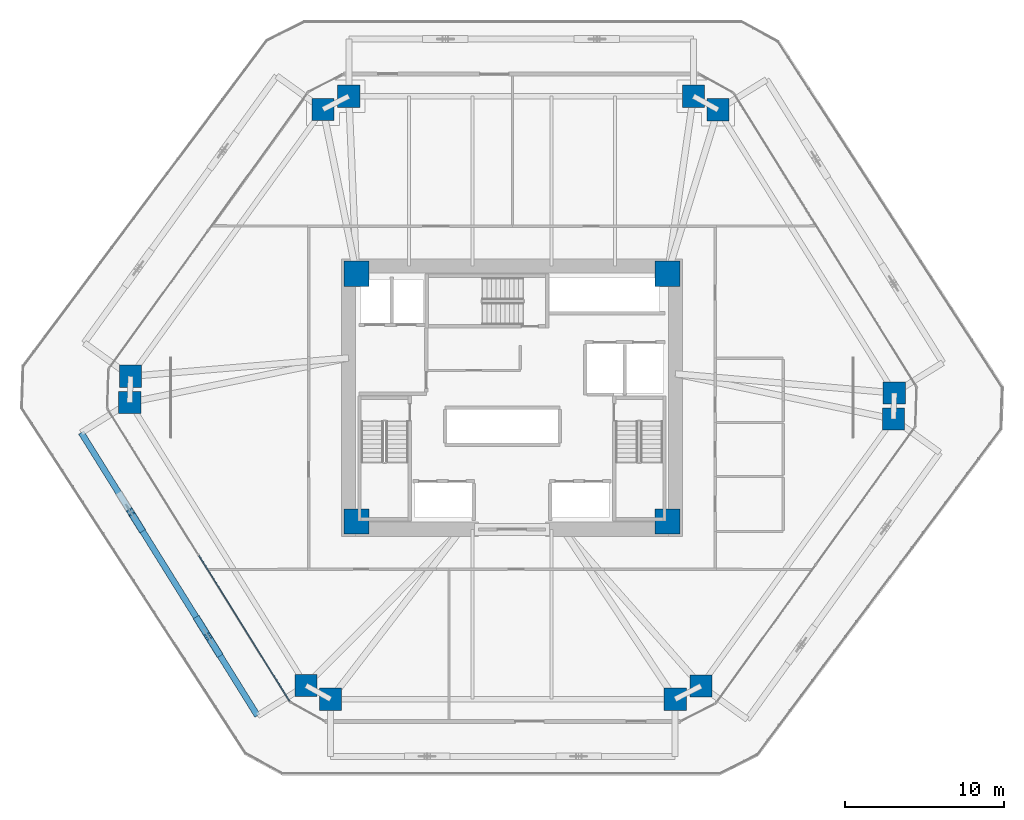
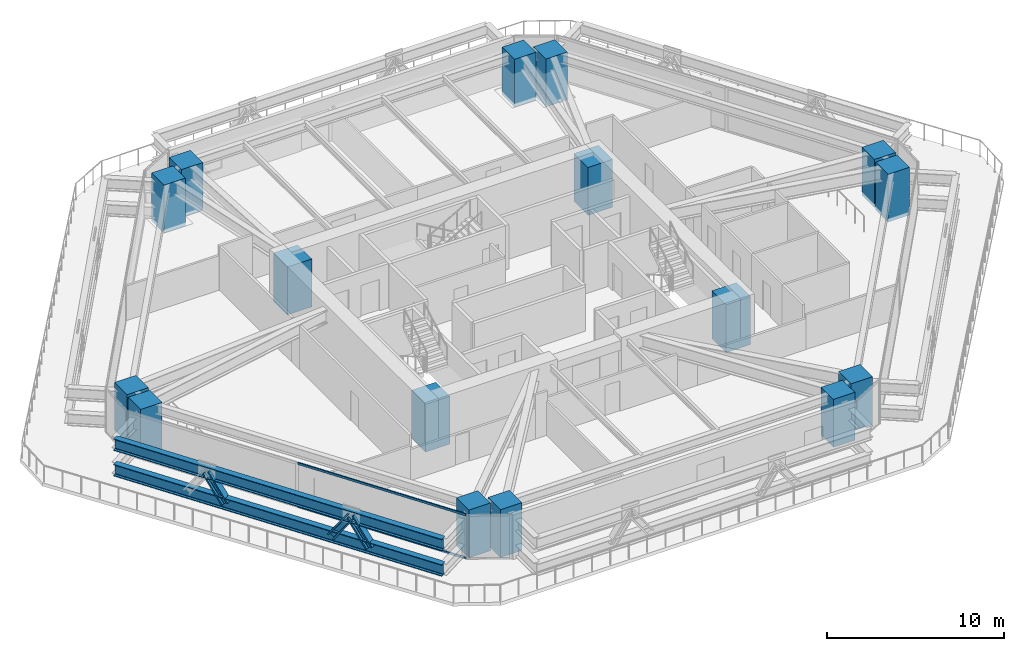
# One storey, part 1 of 20: 16 columns, 5 members, 2 beams, 1 element without a shape of its own.
"""IFC4 building model written with IfcOpenShell, lengths in metres."""

from ifc_helpers import new_model, si_unit, direction, frame, origin, origin_2d, place, context, subcontext, project, spatial, rectangle, i_section, extrude, source, transform, mapped, material, layer, layer_set, material_profile, profile_set, type_object, type_shapes, element, aggregate, save


model = new_model("IFC4")

# Units and contexts
model_context = context("Model", 3, precision=1e-05, world=origin(), true_north=direction((0.0, 1.0)))
body_context = subcontext(model_context, "Body", "Model", "MODEL_VIEW")
ifc_project = project(units=[si_unit("LENGTHUNIT", "METRE"), si_unit("AREAUNIT", "SQUARE_METRE"), si_unit("VOLUMEUNIT", "CUBIC_METRE"), si_unit("PLANEANGLEUNIT", "RADIAN"), si_unit("MASSUNIT", "GRAM", prefix="KILO")], contexts=[model_context])

# Site, building, storey
site_placement = place(None, origin())
site = spatial("IfcSite", under=ifc_project, at=site_placement, CompositionType="ELEMENT")
building_placement = place(site_placement, origin())
building = spatial("IfcBuilding", under=site, at=building_placement, Name="Durnholm Broadcast Tower", CompositionType="ELEMENT")
storey_placement = place(building_placement, frame((0.0, 0.0, 32.39990234375)))
storey = spatial("IfcBuildingStorey", under=building, at=storey_placement, Name="L06", CompositionType="ELEMENT", Elevation=32.39990234375)

# Columns
ifc_material_1 = material(Name="Concrete C70/85", Category="concrete")
ifc_material_profile_1 = material_profile(ifc_material_1, rectangle(XDim=1.60009765625, YDim=1.60009765625, at=origin_2d()), Name="RC1600X1600")
ifc_profile_set_1 = profile_set([ifc_material_profile_1], Name="Concrete C70/85")
column_type_1 = type_object("IfcColumnType", Name="COL-CC-1600", PredefinedType="COLUMN", material=ifc_profile_set_1)
shared_shape_1 = source(origin(), body_context, "Body", "SweptSolid", [
    extrude(rectangle(XDim=1.60009765625, YDim=1.60009765625, at=origin_2d()), origin(), (0.0, 0.0, 1.0), 3.300048828125),
])
type_shapes(column_type_1, [shared_shape_1])
for number, where, z_axis, x_axis, name in (
    (1, (-9.800048828125, -7.800048828125, -0.239990234375), (0.0, 0.0, 1.0), (1.0, 0.0, 0.0), "L06 core corner column 1"),
    (2, (9.800048828125, -7.800048828125, -0.239990234375), (0.0, 0.0, 1.0), (1.0, 0.0, 0.0), "L06 core corner column 2"),
    (3, (9.800048828125, 7.800048828125, -0.239990234375), (0.0, 0.0, 1.0), (1.0, 0.0, 0.0), "L06 core corner column 3"),
    (4, (-9.800048828125, 7.800048828125, -0.239990234375), (0.0, 0.0, 1.0), (1.0, 0.0, 0.0), "L06 core corner column 4"),
):
    element("IfcColumn", number, at=place(storey_placement, frame(where, z_axis=z_axis, x_axis=x_axis)), inside=storey, type_object=column_type_1, Name=name, PredefinedType="COLUMN", context=body_context, shape_type="MappedRepresentation", body=[
        mapped(shared_shape_1, transform((0.0, 0.0, 0.0), x_axis=(1.0, 0.0, 0.0), y_axis=(0.0, 1.0, 0.0), z_axis=(0.0, 0.0, 1.0), scale=1.0)),
    ])
ifc_material_profile_2 = material_profile(ifc_material_1, rectangle(XDim=1.39990234375, YDim=1.39990234375, at=origin_2d()), Name="RC1400X1400")
ifc_profile_set_2 = profile_set([ifc_material_profile_2], Name="Concrete C70/85")
column_type_2 = type_object("IfcColumnType", Name="COL-CC-1400", PredefinedType="COLUMN", material=ifc_profile_set_2)
shared_shape_2 = source(origin(), body_context, "Body", "SweptSolid", [
    extrude(rectangle(XDim=1.39990234375, YDim=1.39990234375, at=origin_2d()), origin(), (0.0, 0.0, 1.0), 3.300048828125),
])
type_shapes(column_type_2, [shared_shape_2])
for number, where, z_axis, x_axis, name in (
    (5, (-12.982666015625, -18.138427734375, -0.239990234375), (0.0, 0.0, 1.0), (1.0, 0.0, 0.0), "L06 perimeter hexagonal tube column 01"),
    (6, (-24.0908203125, -0.2998046875, -0.239990234375), (0.0, 0.0, 1.0), (1.0, 0.0, 0.0), "L06 perimeter hexagonal tube column 02"),
    (7, (-24.034912109375, 1.347412109375, -0.239990234375), (0.0, 0.0, 1.0), (1.0, 0.0, 0.0), "L06 perimeter hexagonal tube column 03"),
    (8, (-11.907470703125, 18.16845703125, -0.239990234375), (0.0, 0.0, 1.0), (1.0, 0.0, 0.0), "L06 perimeter hexagonal tube column 04"),
    (9, (-10.28271484375, 19.0, -0.239990234375), (0.0, 0.0, 1.0), (1.0, 0.0, 0.0), "L06 perimeter hexagonal tube column 05"),
    (10, (11.43115234375, 19.0, -0.239990234375), (0.0, 0.0, 1.0), (1.0, 0.0, 0.0), "L06 perimeter hexagonal tube column 06"),
    (11, (12.982666015625, 18.138427734375, -0.239990234375), (0.0, 0.0, 1.0), (1.0, 0.0, 0.0), "L06 perimeter hexagonal tube column 07"),
    (12, (24.0908203125, 0.2998046875, -0.239990234375), (0.0, 0.0, 1.0), (1.0, 0.0, 0.0), "L06 perimeter hexagonal tube column 08"),
    (13, (24.034912109375, -1.347412109375, -0.239990234375), (0.0, 0.0, 1.0), (1.0, 0.0, 0.0), "L06 perimeter hexagonal tube column 09"),
    (14, (11.907470703125, -18.16845703125, -0.239990234375), (0.0, 0.0, 1.0), (1.0, 0.0, 0.0), "L06 perimeter hexagonal tube column 10"),
    (15, (10.28271484375, -19.0, -0.239990234375), (0.0, 0.0, 1.0), (1.0, 0.0, 0.0), "L06 perimeter hexagonal tube column 11"),
    (16, (-11.43115234375, -19.0, -0.239990234375), (0.0, 0.0, 1.0), (1.0, 0.0, 0.0), "L06 perimeter hexagonal tube column 12"),
):
    element("IfcColumn", number, at=place(storey_placement, frame(where, z_axis=z_axis, x_axis=x_axis)), inside=storey, type_object=column_type_2, Name=name, PredefinedType="COLUMN", context=body_context, shape_type="MappedRepresentation", body=[
        mapped(shared_shape_2, transform((0.0, 0.0, 0.0), x_axis=(1.0, 0.0, 0.0), y_axis=(0.0, 1.0, 0.0), z_axis=(0.0, 0.0, 1.0), scale=1.0)),
    ])

# Members
ifc_material_2 = material(Name="Steel ASTM A913 Grade 65", Category="steel")
ifc_material_profile_3 = material_profile(ifc_material_2, i_section(OverallWidth=0.43212890625, OverallDepth=0.497802734375, WebThickness=0.0556640625, FlangeThickness=0.0888671875, FilletRadius=0.030517578125, at=origin_2d()), Name="W14X500")
ifc_profile_set_3 = profile_set([ifc_material_profile_3], Name="Steel ASTM A913 Grade 65")
member_type_1 = type_object("IfcMemberType", Name="STL-DG-W14X500", PredefinedType="BRACE", material=ifc_profile_set_3)
shared_shape_3 = source(origin(), body_context, "Body", "SweptSolid", [
    extrude(i_section(OverallWidth=0.43212890625, OverallDepth=0.497802734375, WebThickness=0.0556640625, FlangeThickness=0.0888671875, FilletRadius=0.030517578125, at=origin_2d()), origin(), (0.0, 0.0, 1.0), 2.148193359375),
])
type_shapes(member_type_1, [shared_shape_3])
for number, where, z_axis, x_axis, name in (
    (17, (-23.38427734375, -8.244873046875, 0.550048828125), (-0.303558890723, 0.487558083565, 0.818620250796), (-0.848908635391, -0.528539618911, 0.0), "L06 stand-off diagrid brace F6.D1.2"),
    (18, (-19.801025390625, -13.9990234375, 0.550048828125), (0.303558890723, -0.487558083565, 0.818620250796), (0.848908635391, 0.528539618911, 0.0), "L06 stand-off diagrid brace F6.D2.1"),
    (19, (-18.496826171875, -16.09375, 0.550048828125), (-0.303558890723, 0.487558083565, 0.818620250796), (-0.848908635391, -0.528539618911, 0.0), "L06 stand-off diagrid brace F6.D2.2"),
):
    element("IfcMember", number, at=place(storey_placement, frame(where, z_axis=z_axis, x_axis=x_axis)), inside=storey, type_object=member_type_1, Name=name, PredefinedType="BRACE", context=body_context, shape_type="MappedRepresentation", body=[
        mapped(shared_shape_3, transform((0.0, 0.0, 0.0), x_axis=(1.0, 0.0, 0.0), y_axis=(0.0, 1.0, 0.0), z_axis=(0.0, 0.0, 1.0), scale=1.0)),
    ])

# Beams
ifc_material_3 = material(Name="Steel ASTM A992 Grade 50", Category="steel")
ifc_material_profile_4 = material_profile(ifc_material_3, i_section(OverallWidth=0.385009765625, OverallDepth=0.802978515625, WebThickness=0.023681640625, FlangeThickness=0.0419921875, FilletRadius=0.032958984375, at=origin_2d()), Name="W30X261")
ifc_profile_set_4 = profile_set([ifc_material_profile_4], Name="Steel ASTM A992 Grade 50")
beam_type = type_object("IfcBeamType", Name="BM-EXO-TIE", PredefinedType="USERDEFINED", material=ifc_profile_set_4)
shared_shape_4 = source(origin(), body_context, "Body", "SweptSolid", [
    extrude(i_section(OverallWidth=0.385009765625, OverallDepth=0.802978515625, WebThickness=0.023681640625, FlangeThickness=0.0419921875, FilletRadius=0.032958984375, at=origin_2d()), origin(), (0.0, 0.0, 1.0), 21.0146484375),
])
type_shapes(beam_type, [shared_shape_4])
for number, where, z_axis, x_axis, name in (
    (20, (-27.146728515625, -2.20263671875, 0.550048828125), (0.528590518575, -0.848876942597, 0.0), (0.848876942597, 0.528590518575, 0.0), "L06 zone-base exoskeleton collector spandrel F6"),
    (21, (-27.146728515625, -2.20263671875, 2.30859375), (0.528590518575, -0.848876942597, 0.0), (0.848876942597, 0.528590518575, 0.0), "L06 exoskeleton collector spandrel F6"),
):
    element("IfcBeam", number, at=place(storey_placement, frame(where, z_axis=z_axis, x_axis=x_axis)), inside=storey, type_object=beam_type, Name=name, PredefinedType="SPANDREL", context=body_context, shape_type="MappedRepresentation", body=[
        mapped(shared_shape_4, transform((0.0, 0.0, 0.0), x_axis=(1.0, 0.0, 0.0), y_axis=(0.0, 1.0, 0.0), z_axis=(0.0, 0.0, 1.0), scale=1.0)),
    ])

# Curtain wall, members
ifc_material_4 = material(Name="Aluminium and Solar Control IGU", Category="aluminium")
ifc_layer = layer(ifc_material_4, 0.18994140625)
ifc_layer_set = layer_set([ifc_layer], Name="Aluminium and Solar Control IGU")
curtain_wall_type = type_object("IfcCurtainWallType", Name="CW-SYS-3", PredefinedType="NOTDEFINED", material=ifc_layer_set)
curtain_wall_placement = place(storey_placement, origin())
curtain_wall = element("IfcCurtainWall", 22, at=curtain_wall_placement, inside=storey, type_object=curtain_wall_type, Name="L06 curtain wall CW-Z12-VIS CW-L06-F12", PredefinedType="NOTDEFINED")
ifc_material_5 = material(Name="Aluminium 6063-T6", Category="aluminium")
ifc_material_profile_5 = material_profile(ifc_material_5, rectangle(XDim=0.070068359375, YDim=0.14990234375, at=origin_2d()), Name="CWT70X150")
ifc_profile_set_5 = profile_set([ifc_material_profile_5], Name="Aluminium 6063-T6")
member_type_2 = type_object("IfcMemberType", Name="CW-SYS-3-TRN", PredefinedType="USERDEFINED", material=ifc_profile_set_5)
shared_shape_5 = source(origin(), body_context, "Body", "SweptSolid", [
    extrude(rectangle(XDim=0.070068359375, YDim=0.14990234375, at=origin_2d()), origin(), (0.0, 0.0, 1.0), 10.796630859375),
])
type_shapes(member_type_2, [shared_shape_5])
member_1_placement = place(storey_placement, frame((-14.016357421875, -19.126953125, 0.03515625), z_axis=(-0.528591657678, 0.848876233283, 0.0), x_axis=(-0.848876233283, -0.528591657678, 0.0)))
member_1 = element("IfcMember", 23, at=member_1_placement, type_object=member_type_2, Name="CW-Z12-VIS transom 1.1", ObjectType="TRANSOM", PredefinedType="USERDEFINED", context=body_context, shape_type="MappedRepresentation", body=[
    mapped(shared_shape_5, transform((0.0, 0.0, 0.0), x_axis=(1.0, 0.0, 0.0), y_axis=(0.0, 1.0, 0.0), z_axis=(0.0, 0.0, 1.0), scale=1.0)),
])
member_2_placement = place(storey_placement, frame((-14.016357421875, -19.126953125, 3.025146484375), z_axis=(-0.528591657678, 0.848876233283, 0.0), x_axis=(-0.848876233283, -0.528591657678, 0.0)))
member_2 = element("IfcMember", 24, at=member_2_placement, type_object=member_type_2, Name="CW-Z12-VIS transom 1.2", ObjectType="TRANSOM", PredefinedType="USERDEFINED", context=body_context, shape_type="MappedRepresentation", body=[
    mapped(shared_shape_5, transform((0.0, 0.0, 0.0), x_axis=(1.0, 0.0, 0.0), y_axis=(0.0, 1.0, 0.0), z_axis=(0.0, 0.0, 1.0), scale=1.0)),
])
aggregate(curtain_wall, [member_1, member_2])

save(model, "model.ifc")
